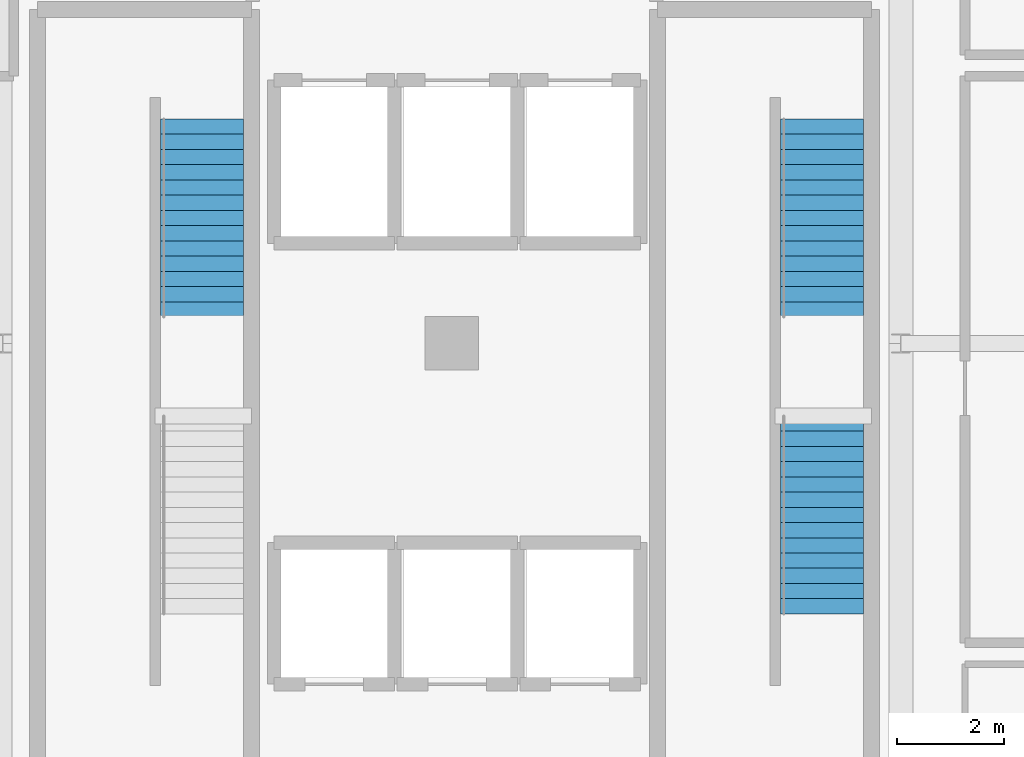
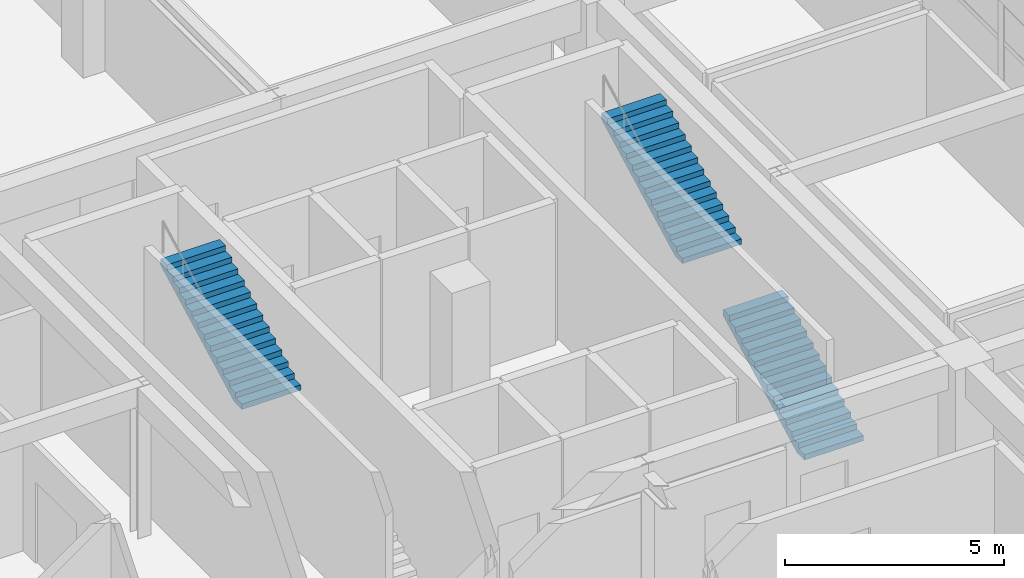
# One storey, part 15 of 16: 3 stair flights, 2 elements without a shape of their own.
"""IFC4 building model written with IfcOpenShell, lengths in metres."""

import ifcopenshell
import ifcopenshell.guid

model = None  # the IFC model being written
_history = None  # IfcOwnerHistory: only IFC2X3 demands one
_inside = {}  # id of a spatial element -> (the spatial element, [elements in it])
_under = {}  # id of a project, library or spatial element -> (it, [spatial elements below it])
_declared = {}  # id of a project -> (the project, [libraries it declares])
_typed = {}  # id of a type object -> (the type object, [elements of that type])
_made_of = {}  # id of a material, layer set ... -> (it, [elements and type objects made of it])


def new_model(schema):
    """Start an empty IFC model of exactly this schema.

    Asked for "IFC4X3", IfcOpenShell would pick the latest addendum, in which some entities
    have other attributes; the version numbers below select the first issue.
    IFC2X3 requires an IfcOwnerHistory on every rooted entity: one is made here for all.
    """
    global model, _history
    if schema == "IFC4X3":
        model = ifcopenshell.file(schema_version=(4, 3, 0, 0))
    else:
        model = ifcopenshell.file(schema=schema)
    _inside.clear()
    _under.clear()
    _declared.clear()
    _typed.clear()
    _made_of.clear()
    _history = None
    if model.schema == "IFC2X3":
        org = make("IfcOrganization", Name="unknown")
        user = make(
            "IfcPersonAndOrganization",
            ThePerson=make("IfcPerson", FamilyName="unknown"),
            TheOrganization=org,
        )
        app = make(
            "IfcApplication",
            ApplicationDeveloper=org,
            Version="unknown",
            ApplicationFullName="unknown",
            ApplicationIdentifier="unknown",
        )
        _history = make(
            "IfcOwnerHistory",
            OwningUser=user,
            OwningApplication=app,
            ChangeAction="ADDED",
            CreationDate=0,
        )
    return model


def make(cls, **values):
    """One entity of the class cls with the attributes given. An attribute that is None is left unset."""
    return model.create_entity(
        cls, **{name: value for name, value in values.items() if value is not None}
    )


def rooted(cls, **values):
    """An entity with a GlobalId (a new one), such as an element, a storey or a relation."""
    return make(cls, GlobalId=ifcopenshell.guid.new(), OwnerHistory=_history, **values)


def si_unit(unit_type, name, prefix=None):
    """IfcSIUnit, for example si_unit("LENGTHUNIT", "METRE", prefix="MILLI")."""
    return make("IfcSIUnit", UnitType=unit_type, Prefix=prefix, Name=name)


def assignment(units):
    """IfcUnitAssignment: the units of a project."""
    return None if units is None else make("IfcUnitAssignment", Units=units)


def point(xyz):
    """IfcCartesianPoint."""
    return None if xyz is None else make("IfcCartesianPoint", Coordinates=xyz)


def direction(xyz):
    """IfcDirection."""
    return None if xyz is None else make("IfcDirection", DirectionRatios=xyz)


def frame(location, z_axis=None, x_axis=None):
    """IfcAxis2Placement3D, a coordinate frame: its origin and axes. An axis left out is left unset."""
    return make(
        "IfcAxis2Placement3D",
        Location=point(location),
        Axis=direction(z_axis),
        RefDirection=direction(x_axis),
    )


def origin():
    """The frame at (0, 0, 0) with its axes left unset."""
    return frame((0.0, 0.0, 0.0))


def place(relative_to, where):
    """IfcLocalPlacement: puts the frame where relative to a parent placement (None: the world)."""
    return make(
        "IfcLocalPlacement", PlacementRelTo=relative_to, RelativePlacement=where
    )


def context(
    kind, dimensions, precision=None, world=None, true_north=None, identifier=None
):
    """IfcGeometricRepresentationContext, for example the 3D "Model" context."""
    return make(
        "IfcGeometricRepresentationContext",
        ContextIdentifier=identifier,
        ContextType=kind,
        CoordinateSpaceDimension=dimensions,
        Precision=precision,
        WorldCoordinateSystem=world,
        TrueNorth=true_north,
    )


def subcontext(parent, identifier, kind, view, scale=None):
    """IfcGeometricRepresentationSubContext, for example "Body" below "Model"."""
    return make(
        "IfcGeometricRepresentationSubContext",
        ContextIdentifier=identifier,
        ContextType=kind,
        ParentContext=parent,
        TargetScale=scale,
        TargetView=view,
    )


def project(units=None, contexts=None):
    """IfcProject with its units and contexts."""
    return rooted(
        "IfcProject",
        Name="project",
        RepresentationContexts=contexts,
        UnitsInContext=assignment(units),
    )


def spatial(cls, under=None, at=None, **own):
    """A site, building, storey or space (cls), placed at a placement, below another one or the project."""
    s = rooted(cls, ObjectPlacement=at, **own)
    if under is not None:
        _under.setdefault(under.id(), (under, []))[1].append(s)
    return s


def polyline(points):
    """IfcPolyline through the points."""
    return make("IfcPolyline", Points=[point(p) for p in points])


def outline(outer, holes=None, kind="AREA"):
    """IfcArbitraryClosedProfileDef: a profile drawn as a closed curve; with holes, ...WithVoids."""
    if holes is None:
        return make("IfcArbitraryClosedProfileDef", ProfileType=kind, OuterCurve=outer)
    return make(
        "IfcArbitraryProfileDefWithVoids",
        ProfileType=kind,
        OuterCurve=outer,
        InnerCurves=holes,
    )


def extrude(swept, where, along, depth):
    """IfcExtrudedAreaSolid: the profile swept, set in the frame where, extruded along a direction by depth."""
    return make(
        "IfcExtrudedAreaSolid",
        SweptArea=swept,
        Position=where,
        ExtrudedDirection=direction(along),
        Depth=depth,
    )


def shape(context_of_items, identifier, shape_type, items):
    """IfcShapeRepresentation: the items that make up one representation, for example the "Body"."""
    return make(
        "IfcShapeRepresentation",
        ContextOfItems=context_of_items,
        RepresentationIdentifier=identifier,
        RepresentationType=shape_type,
        Items=items,
    )


def material(Name=None, Category=None):
    """IfcMaterial."""
    return make("IfcMaterial", Name=Name, Category=Category)


def layer(
    of_material, thickness, ventilated=None, Name=None, Category=None, Priority=None
):
    """IfcMaterialLayer: one layer of a wall or slab, of a material (None: an air gap)."""
    return make(
        "IfcMaterialLayer",
        Material=of_material,
        LayerThickness=thickness,
        IsVentilated=ventilated,
        Name=Name,
        Category=Category,
        Priority=Priority,
    )


def layer_set(layers, Name=None):
    """IfcMaterialLayerSet."""
    return make("IfcMaterialLayerSet", MaterialLayers=layers, LayerSetName=Name)


def made_of(thing, what):
    """Note that an element or type object is made of a material, layer set ...; save() writes the relation."""
    if what is not None:
        _made_of.setdefault(what.id(), (what, []))[1].append(thing)
    return thing


def type_object(cls, material=None, **own):
    """A type object (cls), such as IfcWallType, which elements share."""
    return made_of(rooted(cls, **own), material)


def element(
    cls,
    number,
    at=None,
    inside=None,
    cuts=None,
    type_object=None,
    material=None,
    context=None,
    identifier="Body",
    shape_type=None,
    held_by="IfcProductDefinitionShape",
    body=None,
    shapes=None,
    **own,
):
    """One element of the class cls, such as IfcWall. Its Tag is "e" and its number.

    at: its placement. inside: the storey or other place that contains it. cuts: it is an
    opening in that element (IfcRelVoidsElement). A single representation is given by context,
    identifier, shape_type and body (its items); several are given by shapes. held_by: the class
    of the entity that holds the representations. save() writes the other relations.
    """
    e = rooted(cls, Tag="e%d" % number, ObjectPlacement=at, **own)
    if body is not None:
        shapes = [shape(context, identifier, shape_type, body)]
    if shapes is not None:
        e.Representation = make(held_by, Representations=shapes)
    if inside is not None:
        _inside.setdefault(inside.id(), (inside, []))[1].append(e)
    if cuts is not None:
        rooted(
            "IfcRelVoidsElement", RelatingBuildingElement=cuts, RelatedOpeningElement=e
        )
    if type_object is not None:
        _typed.setdefault(type_object.id(), (type_object, []))[1].append(e)
    return made_of(e, material)


def aggregate(whole, parts):
    """IfcRelAggregates: a whole, such as a stair, and the parts it consists of."""
    return rooted("IfcRelAggregates", RelatingObject=whole, RelatedObjects=parts)


def save(model, path):
    """Write the relations noted so far, then the file.

    IfcRelAggregates (storeys below a building ...), IfcRelContainedInSpatialStructure (elements
    in a storey), IfcRelDefinesByType, IfcRelAssociatesMaterial and IfcRelDeclares: one each for
    every whole, place, type object, material and project.
    """
    for whole, parts in _under.values():
        aggregate(whole, parts)
    for where, things in _inside.values():
        rooted(
            "IfcRelContainedInSpatialStructure",
            RelatedElements=things,
            RelatingStructure=where,
        )
    for kind, things in _typed.values():
        rooted("IfcRelDefinesByType", RelatedObjects=things, RelatingType=kind)
    for what, things in _made_of.values():
        rooted("IfcRelAssociatesMaterial", RelatedObjects=things, RelatingMaterial=what)
    for by, libraries in _declared.values():
        rooted("IfcRelDeclares", RelatingContext=by, RelatedDefinitions=libraries)
    model.write(path)


model = new_model("IFC4")

# Units and contexts
model_context = context("Model", 3, precision=1e-05, world=origin(), true_north=direction((0.0, 1.0)))
body_context = subcontext(model_context, "Body", "Model", "MODEL_VIEW")
ifc_project = project(units=[si_unit("LENGTHUNIT", "METRE"), si_unit("AREAUNIT", "SQUARE_METRE"), si_unit("VOLUMEUNIT", "CUBIC_METRE"), si_unit("PLANEANGLEUNIT", "RADIAN"), si_unit("MASSUNIT", "GRAM", prefix="KILO")], contexts=[model_context])

# Site, building, storey
site_placement = place(None, origin())
site = spatial("IfcSite", under=ifc_project, at=site_placement, CompositionType="ELEMENT")
building_placement = place(site_placement, origin())
building = spatial("IfcBuilding", under=site, at=building_placement, Name="Xuanlan Plaza Opera House", CompositionType="ELEMENT")
storey_placement = place(building_placement, frame((0.0, 0.0, 48.89990234375)))
storey = spatial("IfcBuildingStorey", under=building, at=storey_placement, Name="L11", CompositionType="ELEMENT", Elevation=48.89990234375)

# Stair, stair flight
ifc_material = material(Name="Concrete C40", Category="concrete")
stair_type = type_object("IfcStairType", Name="INT-ST-STR-T155", PredefinedType="STRAIGHT_RUN_STAIR", material=ifc_material)
stair_1_placement = place(storey_placement, origin())
stair_1 = element("IfcStair", 1, at=stair_1_placement, inside=storey, type_object=stair_type, Name="Protected Exit Stair ST-T1 L11", PredefinedType="STRAIGHT_RUN_STAIR")
ifc_layer = layer(ifc_material, 0.159912109375)
ifc_layer_set = layer_set([ifc_layer], Name="Concrete C40")
stair_flight_type = type_object("IfcStairFlightType", Name="INT-FL-FL-155", PredefinedType="STRAIGHT", material=ifc_layer_set)
stair_flight_1_placement = place(storey_placement, frame((138.125, 59.294921875, 2.10009765625), z_axis=(0.0, 0.0, 1.0), x_axis=(0.0, 1.0, 0.0)))
stair_flight_1 = element("IfcStairFlight", 2, at=stair_flight_1_placement, type_object=stair_flight_type, Name="ST-T1-L11 flight 2", NumberOfRisers=14, NumberOfTreads=13, PredefinedType="STRAIGHT", RiserHeight=0.15, TreadLength=0.285, context=body_context, shape_type="SweptSolid", body=[
    extrude(outline(polyline([(0.0, 0.0), (0.0, 0.14990234375), (0.284912109375, 0.14990234375), (0.284912109375, 0.300048828125), (0.570068359375, 0.300048828125), (0.570068359375, 0.449951171875), (0.85498046875, 0.449951171875), (0.85498046875, 0.60009765625), (1.139892578125, 0.60009765625), (1.139892578125, 0.75), (1.425048828125, 0.75), (1.425048828125, 0.89990234375), (1.7099609375, 0.89990234375), (1.7099609375, 1.050048828125), (1.9951171875, 1.050048828125), (1.9951171875, 1.199951171875), (2.280029296875, 1.199951171875), (2.280029296875, 1.35009765625), (2.56494140625, 1.35009765625), (2.56494140625, 1.5), (2.85009765625, 1.5), (2.85009765625, 1.64990234375), (3.135009765625, 1.64990234375), (3.135009765625, 1.800048828125), (3.419921875, 1.800048828125), (3.419921875, 1.949951171875), (3.705078125, 1.949951171875), (3.705078125, 2.10009765625), (3.705078125, 1.769287109375), (0.34326171875, 0.0), (0.0, 0.0)])), frame((0.0, 0.77490234375, 0.0), z_axis=(0.0, -1.0, 0.0), x_axis=(1.0, 0.0, 0.0)), (0.0, 0.0, 1.0), 1.550048828125),
])
aggregate(stair_1, [stair_flight_1])

# Stair, stair flights
stair_2_placement = place(storey_placement, origin())
stair_2 = element("IfcStair", 3, at=stair_2_placement, inside=storey, type_object=stair_type, Name="Protected Exit Stair ST-T2 L11", PredefinedType="STRAIGHT_RUN_STAIR")
stair_flight_2_placement = place(storey_placement, frame((149.72509765625, 53.739990234375, 0.0), z_axis=(0.0, 0.0, 1.0), x_axis=(0.0, 1.0, 0.0)))
stair_flight_2 = element("IfcStairFlight", 4, at=stair_flight_2_placement, type_object=stair_flight_type, Name="ST-T2-L11 flight 1", NumberOfRisers=14, NumberOfTreads=13, PredefinedType="STRAIGHT", RiserHeight=0.15, TreadLength=0.285, context=body_context, shape_type="SweptSolid", body=[
    extrude(outline(polyline([(0.0, 0.0), (0.0, 0.14990234375), (0.284912109375, 0.14990234375), (0.284912109375, 0.300048828125), (0.570068359375, 0.300048828125), (0.570068359375, 0.449951171875), (0.85498046875, 0.449951171875), (0.85498046875, 0.60009765625), (1.139892578125, 0.60009765625), (1.139892578125, 0.75), (1.425048828125, 0.75), (1.425048828125, 0.89990234375), (1.7099609375, 0.89990234375), (1.7099609375, 1.050048828125), (1.9951171875, 1.050048828125), (1.9951171875, 1.199951171875), (2.280029296875, 1.199951171875), (2.280029296875, 1.35009765625), (2.56494140625, 1.35009765625), (2.56494140625, 1.5), (2.85009765625, 1.5), (2.85009765625, 1.64990234375), (3.135009765625, 1.64990234375), (3.135009765625, 1.800048828125), (3.419921875, 1.800048828125), (3.419921875, 1.949951171875), (3.705078125, 1.949951171875), (3.705078125, 2.10009765625), (3.705078125, 1.769287109375), (0.34326171875, 0.0), (0.0, 0.0)])), frame((0.0, 0.77490234375, 0.0), z_axis=(0.0, -1.0, 0.0), x_axis=(1.0, 0.0, 0.0)), (0.0, 0.0, 1.0), 1.550048828125),
])
stair_flight_3_placement = place(storey_placement, frame((149.72509765625, 59.294921875, 2.10009765625), z_axis=(0.0, 0.0, 1.0), x_axis=(0.0, 1.0, 0.0)))
stair_flight_3 = element("IfcStairFlight", 5, at=stair_flight_3_placement, type_object=stair_flight_type, Name="ST-T2-L11 flight 2", NumberOfRisers=14, NumberOfTreads=13, PredefinedType="STRAIGHT", RiserHeight=0.15, TreadLength=0.285, context=body_context, shape_type="SweptSolid", body=[
    extrude(outline(polyline([(0.0, 0.0), (0.0, 0.14990234375), (0.284912109375, 0.14990234375), (0.284912109375, 0.300048828125), (0.570068359375, 0.300048828125), (0.570068359375, 0.449951171875), (0.85498046875, 0.449951171875), (0.85498046875, 0.60009765625), (1.139892578125, 0.60009765625), (1.139892578125, 0.75), (1.425048828125, 0.75), (1.425048828125, 0.89990234375), (1.7099609375, 0.89990234375), (1.7099609375, 1.050048828125), (1.9951171875, 1.050048828125), (1.9951171875, 1.199951171875), (2.280029296875, 1.199951171875), (2.280029296875, 1.35009765625), (2.56494140625, 1.35009765625), (2.56494140625, 1.5), (2.85009765625, 1.5), (2.85009765625, 1.64990234375), (3.135009765625, 1.64990234375), (3.135009765625, 1.800048828125), (3.419921875, 1.800048828125), (3.419921875, 1.949951171875), (3.705078125, 1.949951171875), (3.705078125, 2.10009765625), (3.705078125, 1.769287109375), (0.34326171875, 0.0), (0.0, 0.0)])), frame((0.0, 0.77490234375, 0.0), z_axis=(0.0, -1.0, 0.0), x_axis=(1.0, 0.0, 0.0)), (0.0, 0.0, 1.0), 1.550048828125),
])
aggregate(stair_2, [stair_flight_2, stair_flight_3])

save(model, "model.ifc")
